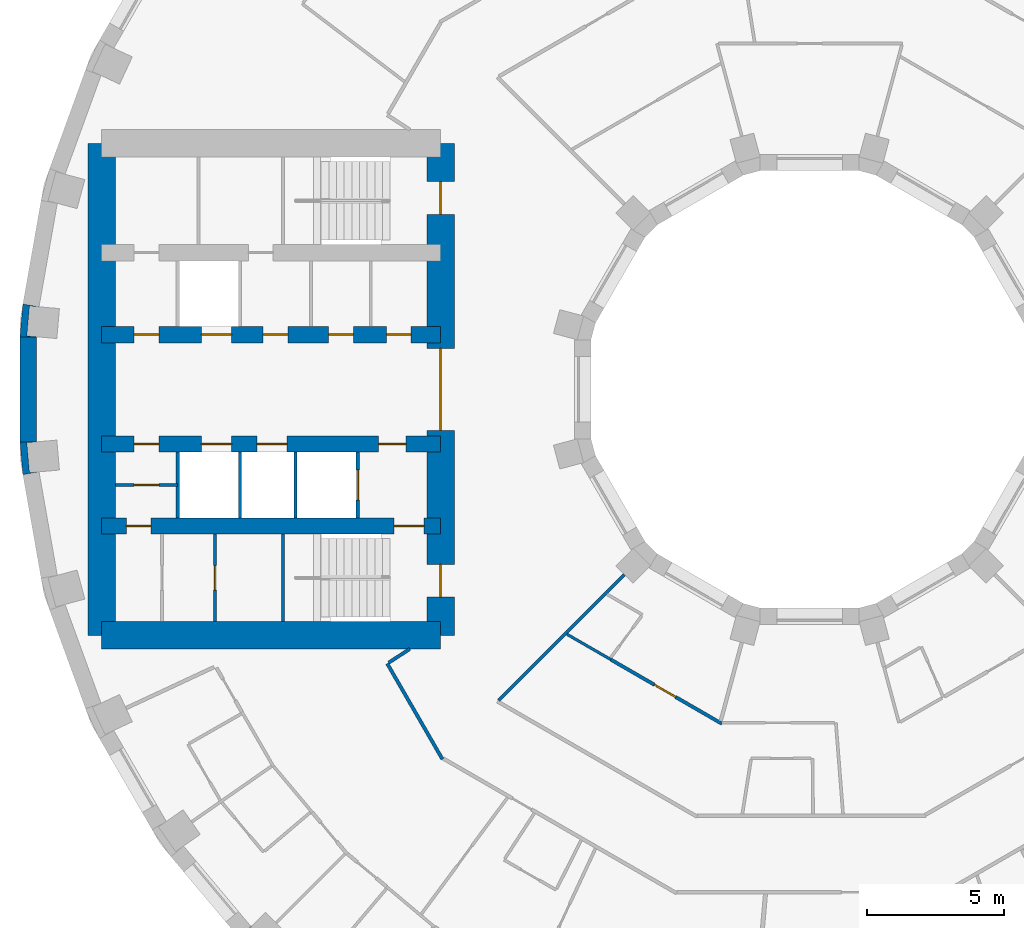
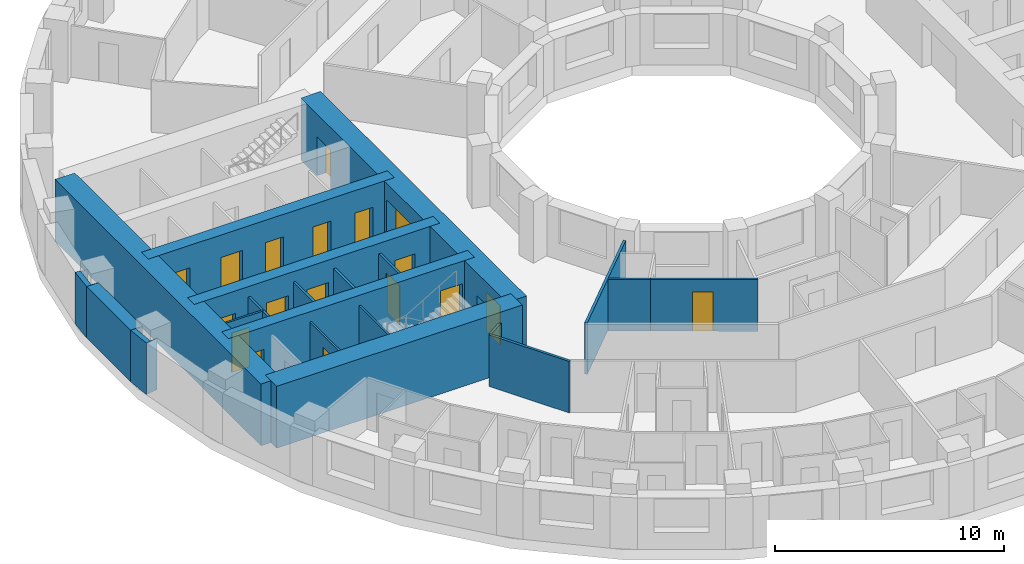
# One storey, part 6 of 15: 21 walls, 18 doors, 18 openings.
"""IFC4 building model written with IfcOpenShell, lengths in metres."""

import ifcopenshell
import ifcopenshell.guid

model = None  # the IFC model being written
_history = None  # IfcOwnerHistory: only IFC2X3 demands one
_inside = {}  # id of a spatial element -> (the spatial element, [elements in it])
_under = {}  # id of a project, library or spatial element -> (it, [spatial elements below it])
_declared = {}  # id of a project -> (the project, [libraries it declares])
_typed = {}  # id of a type object -> (the type object, [elements of that type])
_made_of = {}  # id of a material, layer set ... -> (it, [elements and type objects made of it])


def new_model(schema):
    """Start an empty IFC model of exactly this schema.

    Asked for "IFC4X3", IfcOpenShell would pick the latest addendum, in which some entities
    have other attributes; the version numbers below select the first issue.
    IFC2X3 requires an IfcOwnerHistory on every rooted entity: one is made here for all.
    """
    global model, _history
    if schema == "IFC4X3":
        model = ifcopenshell.file(schema_version=(4, 3, 0, 0))
    else:
        model = ifcopenshell.file(schema=schema)
    _inside.clear()
    _under.clear()
    _declared.clear()
    _typed.clear()
    _made_of.clear()
    _history = None
    if model.schema == "IFC2X3":
        org = make("IfcOrganization", Name="unknown")
        user = make(
            "IfcPersonAndOrganization",
            ThePerson=make("IfcPerson", FamilyName="unknown"),
            TheOrganization=org,
        )
        app = make(
            "IfcApplication",
            ApplicationDeveloper=org,
            Version="unknown",
            ApplicationFullName="unknown",
            ApplicationIdentifier="unknown",
        )
        _history = make(
            "IfcOwnerHistory",
            OwningUser=user,
            OwningApplication=app,
            ChangeAction="ADDED",
            CreationDate=0,
        )
    return model


def make(cls, **values):
    """One entity of the class cls with the attributes given. An attribute that is None is left unset."""
    return model.create_entity(
        cls, **{name: value for name, value in values.items() if value is not None}
    )


def rooted(cls, **values):
    """An entity with a GlobalId (a new one), such as an element, a storey or a relation."""
    return make(cls, GlobalId=ifcopenshell.guid.new(), OwnerHistory=_history, **values)


def si_unit(unit_type, name, prefix=None):
    """IfcSIUnit, for example si_unit("LENGTHUNIT", "METRE", prefix="MILLI")."""
    return make("IfcSIUnit", UnitType=unit_type, Prefix=prefix, Name=name)


def assignment(units):
    """IfcUnitAssignment: the units of a project."""
    return None if units is None else make("IfcUnitAssignment", Units=units)


def point(xyz):
    """IfcCartesianPoint."""
    return None if xyz is None else make("IfcCartesianPoint", Coordinates=xyz)


def direction(xyz):
    """IfcDirection."""
    return None if xyz is None else make("IfcDirection", DirectionRatios=xyz)


def frame(location, z_axis=None, x_axis=None):
    """IfcAxis2Placement3D, a coordinate frame: its origin and axes. An axis left out is left unset."""
    return make(
        "IfcAxis2Placement3D",
        Location=point(location),
        Axis=direction(z_axis),
        RefDirection=direction(x_axis),
    )


def frame_2d(location, x_axis=None):
    """IfcAxis2Placement2D, a coordinate frame in the plane: its origin and x axis."""
    return make(
        "IfcAxis2Placement2D", Location=point(location), RefDirection=direction(x_axis)
    )


def origin():
    """The frame at (0, 0, 0) with its axes left unset."""
    return frame((0.0, 0.0, 0.0))


def place(relative_to, where):
    """IfcLocalPlacement: puts the frame where relative to a parent placement (None: the world)."""
    return make(
        "IfcLocalPlacement", PlacementRelTo=relative_to, RelativePlacement=where
    )


def context(
    kind, dimensions, precision=None, world=None, true_north=None, identifier=None
):
    """IfcGeometricRepresentationContext, for example the 3D "Model" context."""
    return make(
        "IfcGeometricRepresentationContext",
        ContextIdentifier=identifier,
        ContextType=kind,
        CoordinateSpaceDimension=dimensions,
        Precision=precision,
        WorldCoordinateSystem=world,
        TrueNorth=true_north,
    )


def subcontext(parent, identifier, kind, view, scale=None):
    """IfcGeometricRepresentationSubContext, for example "Body" below "Model"."""
    return make(
        "IfcGeometricRepresentationSubContext",
        ContextIdentifier=identifier,
        ContextType=kind,
        ParentContext=parent,
        TargetScale=scale,
        TargetView=view,
    )


def project(units=None, contexts=None):
    """IfcProject with its units and contexts."""
    return rooted(
        "IfcProject",
        Name="project",
        RepresentationContexts=contexts,
        UnitsInContext=assignment(units),
    )


def spatial(cls, under=None, at=None, **own):
    """A site, building, storey or space (cls), placed at a placement, below another one or the project."""
    s = rooted(cls, ObjectPlacement=at, **own)
    if under is not None:
        _under.setdefault(under.id(), (under, []))[1].append(s)
    return s


def polyline(points):
    """IfcPolyline through the points."""
    return make("IfcPolyline", Points=[point(p) for p in points])


def profile(cls, at=None, kind="AREA", **sizes):
    """A parametric profile (cls). Its sizes go by their IFC names, for example OverallWidth=200.0."""
    return make(cls, ProfileType=kind, Position=at, **sizes)


def rectangle(**sizes):
    """IfcRectangleProfileDef."""
    return profile("IfcRectangleProfileDef", **sizes)


def outline(outer, holes=None, kind="AREA"):
    """IfcArbitraryClosedProfileDef: a profile drawn as a closed curve; with holes, ...WithVoids."""
    if holes is None:
        return make("IfcArbitraryClosedProfileDef", ProfileType=kind, OuterCurve=outer)
    return make(
        "IfcArbitraryProfileDefWithVoids",
        ProfileType=kind,
        OuterCurve=outer,
        InnerCurves=holes,
    )


def extrude(swept, where, along, depth):
    """IfcExtrudedAreaSolid: the profile swept, set in the frame where, extruded along a direction by depth."""
    return make(
        "IfcExtrudedAreaSolid",
        SweptArea=swept,
        Position=where,
        ExtrudedDirection=direction(along),
        Depth=depth,
    )


def shape(context_of_items, identifier, shape_type, items):
    """IfcShapeRepresentation: the items that make up one representation, for example the "Body"."""
    return make(
        "IfcShapeRepresentation",
        ContextOfItems=context_of_items,
        RepresentationIdentifier=identifier,
        RepresentationType=shape_type,
        Items=items,
    )


def material(Name=None, Category=None):
    """IfcMaterial."""
    return make("IfcMaterial", Name=Name, Category=Category)


def layer(
    of_material, thickness, ventilated=None, Name=None, Category=None, Priority=None
):
    """IfcMaterialLayer: one layer of a wall or slab, of a material (None: an air gap)."""
    return make(
        "IfcMaterialLayer",
        Material=of_material,
        LayerThickness=thickness,
        IsVentilated=ventilated,
        Name=Name,
        Category=Category,
        Priority=Priority,
    )


def layer_set(layers, Name=None):
    """IfcMaterialLayerSet."""
    return make("IfcMaterialLayerSet", MaterialLayers=layers, LayerSetName=Name)


def made_of(thing, what):
    """Note that an element or type object is made of a material, layer set ...; save() writes the relation."""
    if what is not None:
        _made_of.setdefault(what.id(), (what, []))[1].append(thing)
    return thing


def type_object(cls, material=None, **own):
    """A type object (cls), such as IfcWallType, which elements share."""
    return made_of(rooted(cls, **own), material)


def element(
    cls,
    number,
    at=None,
    inside=None,
    cuts=None,
    type_object=None,
    material=None,
    context=None,
    identifier="Body",
    shape_type=None,
    held_by="IfcProductDefinitionShape",
    body=None,
    shapes=None,
    **own,
):
    """One element of the class cls, such as IfcWall. Its Tag is "e" and its number.

    at: its placement. inside: the storey or other place that contains it. cuts: it is an
    opening in that element (IfcRelVoidsElement). A single representation is given by context,
    identifier, shape_type and body (its items); several are given by shapes. held_by: the class
    of the entity that holds the representations. save() writes the other relations.
    """
    e = rooted(cls, Tag="e%d" % number, ObjectPlacement=at, **own)
    if body is not None:
        shapes = [shape(context, identifier, shape_type, body)]
    if shapes is not None:
        e.Representation = make(held_by, Representations=shapes)
    if inside is not None:
        _inside.setdefault(inside.id(), (inside, []))[1].append(e)
    if cuts is not None:
        rooted(
            "IfcRelVoidsElement", RelatingBuildingElement=cuts, RelatedOpeningElement=e
        )
    if type_object is not None:
        _typed.setdefault(type_object.id(), (type_object, []))[1].append(e)
    return made_of(e, material)


def fill(opening, filler):
    """IfcRelFillsElement: the door or window that sits in an opening."""
    return rooted(
        "IfcRelFillsElement",
        RelatingOpeningElement=opening,
        RelatedBuildingElement=filler,
    )


def aggregate(whole, parts):
    """IfcRelAggregates: a whole, such as a stair, and the parts it consists of."""
    return rooted("IfcRelAggregates", RelatingObject=whole, RelatedObjects=parts)


def save(model, path):
    """Write the relations noted so far, then the file.

    IfcRelAggregates (storeys below a building ...), IfcRelContainedInSpatialStructure (elements
    in a storey), IfcRelDefinesByType, IfcRelAssociatesMaterial and IfcRelDeclares: one each for
    every whole, place, type object, material and project.
    """
    for whole, parts in _under.values():
        aggregate(whole, parts)
    for where, things in _inside.values():
        rooted(
            "IfcRelContainedInSpatialStructure",
            RelatedElements=things,
            RelatingStructure=where,
        )
    for kind, things in _typed.values():
        rooted("IfcRelDefinesByType", RelatedObjects=things, RelatingType=kind)
    for what, things in _made_of.values():
        rooted("IfcRelAssociatesMaterial", RelatedObjects=things, RelatingMaterial=what)
    for by, libraries in _declared.values():
        rooted("IfcRelDeclares", RelatingContext=by, RelatedDefinitions=libraries)
    model.write(path)


model = new_model("IFC4")

# Units and contexts
model_context = context("Model", 3, precision=1e-05, world=origin(), true_north=direction((0.0, 1.0)))
body_context = subcontext(model_context, "Body", "Model", "MODEL_VIEW")
ifc_project = project(units=[si_unit("LENGTHUNIT", "METRE"), si_unit("AREAUNIT", "SQUARE_METRE"), si_unit("VOLUMEUNIT", "CUBIC_METRE"), si_unit("PLANEANGLEUNIT", "RADIAN"), si_unit("MASSUNIT", "GRAM", prefix="KILO")], contexts=[model_context])

# Site, building, storey
site_placement = place(None, origin())
site = spatial("IfcSite", under=ifc_project, at=site_placement, CompositionType="ELEMENT")
building_placement = place(site_placement, origin())
building = spatial("IfcBuilding", under=site, at=building_placement, Name="Saqina Gate Tower", CompositionType="ELEMENT")
storey_placement = place(building_placement, frame((0.0, 0.0, 39.5)))
storey = spatial("IfcBuildingStorey", under=building, at=storey_placement, Name="L10", CompositionType="ELEMENT", Elevation=39.5)

# Walls
ifc_material_1 = material(Name="Brick masonry (red)", Category="masonry")
wall_type_1 = type_object("IfcWallType", Name="BRICK PIER COPING RED", PredefinedType="SOLIDWALL", material=ifc_material_1)
wall_1_placement = place(storey_placement, origin())
element("IfcWall", 1, at=wall_1_placement, inside=storey, type_object=wall_type_1, Name="Pier cap L10 column 18", PredefinedType="SOLIDWALL", context=body_context, shape_type="SweptSolid", body=[
    extrude(outline(polyline([(-28.78466796875, 3.122802734375), (-28.8896484375, 1.9228515625), (-28.28955078125, 1.9228515625), (-28.638671875, 1.95361328125), (-28.54296875, 3.04931640625), (-28.19384765625, 3.018798828125), (-28.78466796875, 3.122802734375)])), origin(), (0.0, 0.0, 1.0), 2.75),
])
wall_2_placement = place(storey_placement, origin())
element("IfcWall", 2, at=wall_2_placement, inside=storey, type_object=wall_type_1, Name="Pier cap L10 column 19", PredefinedType="SOLIDWALL", context=body_context, shape_type="SweptSolid", body=[
    extrude(outline(polyline([(-28.8896484375, -1.9228515625), (-28.78466796875, -3.122802734375), (-28.19384765625, -3.018798828125), (-28.54296875, -3.04931640625), (-28.638671875, -1.95361328125), (-28.28955078125, -1.9228515625), (-28.8896484375, -1.9228515625)])), origin(), (0.0, 0.0, 1.0), 2.75),
])

# Wall, opening, door
ifc_material_2 = material(Name="Gypsum board on steel studs", Category="steel")
ifc_layer_1 = layer(ifc_material_2, 0.10009765625)
ifc_layer_set_1 = layer_set([ifc_layer_1], Name="CORE PARTITION")
wall_type_2 = type_object("IfcWallType", Name="CORE PARTITION", PredefinedType="PARTITIONING", material=ifc_layer_set_1)
wall_3_placement = place(storey_placement, frame((-23.1201171875, -3.5, 0.0), z_axis=(0.0, 0.0, 1.0), x_axis=(-1.0, 0.0, 0.0)))
wall_3 = element("IfcWall", 3, at=wall_3_placement, inside=storey, type_object=wall_type_2, Name="L10-CP-W09", PredefinedType="PARTITIONING", context=body_context, shape_type="SweptSolid", body=[
    extrude(rectangle(XDim=2.27978515625, YDim=0.10009765625, at=frame_2d((1.139892578125, 0.0))), origin(), (0.0, 0.0, 1.0), 2.75),
])
opening_1_placement = place(wall_3_placement, frame((0.68994140625, 0.0, 0.0)))
opening_1 = element("IfcOpeningElement", 4, at=opening_1_placement, cuts=wall_3, Name="Opening G02-D114", PredefinedType="OPENING", context=body_context, shape_type="SweptSolid", body=[
    extrude(rectangle(XDim=0.89990234375, YDim=2.10009765625, at=frame_2d((0.449951171875, 1.050048828125))), frame((0.0, 0.06201171875, 0.0), z_axis=(0.0, -1.0, 0.0), x_axis=(1.0, 0.0, 0.0)), (0.0, 0.0, 1.0), 0.1240234375),
])
ifc_material_3 = material(Name="Steel-framed fire door leaf, EI 60", Category="steel")
door_type_1 = type_object("IfcDoorType", Name="SERVICE ROOM DOOR 900", OperationType="SINGLE_SWING_LEFT", PredefinedType="DOOR", material=ifc_material_3)
door_1_placement = place(opening_1_placement, origin())
door_1 = element("IfcDoor", 5, at=door_1_placement, inside=storey, type_object=door_type_1, Name="L10-CD-W25", OperationType="SINGLE_SWING_RIGHT", OverallHeight=2.10009765625, OverallWidth=0.89990234375, PredefinedType="DOOR", context=body_context, shape_type="SweptSolid", body=[
    extrude(rectangle(XDim=0.89990234375, YDim=2.10009765625, at=frame_2d((0.449951171875, 1.050048828125))), frame((0.0, 0.02490234375, 0.0), z_axis=(0.0, -1.0, 0.0), x_axis=(1.0, 0.0, 0.0)), (0.0, 0.0, 1.0), 0.050048828125),
])
fill(opening_1, door_1)

wall_4_placement = place(storey_placement, frame((-21.751953125, -8.5, 0.0), z_axis=(0.0, 0.0, 1.0), x_axis=(0.0, 1.0, 0.0)))
wall_4 = element("IfcWall", 6, at=wall_4_placement, inside=storey, type_object=wall_type_2, Name="L10-CP-W13", PredefinedType="PARTITIONING", context=body_context, shape_type="SweptSolid", body=[
    extrude(rectangle(XDim=3.199951171875, YDim=0.10009765625, at=frame_2d((1.60009765625, 0.0))), origin(), (0.0, 0.0, 1.0), 2.75),
])
opening_2_placement = place(wall_4_placement, frame((1.14990234375, 0.0, 0.0)))
opening_2 = element("IfcOpeningElement", 7, at=opening_2_placement, cuts=wall_4, Name="Opening G02-D116", PredefinedType="OPENING", context=body_context, shape_type="SweptSolid", body=[
    extrude(rectangle(XDim=0.89990234375, YDim=2.10009765625, at=frame_2d((0.449951171875, 1.050048828125))), frame((0.0, 0.06201171875, 0.0), z_axis=(0.0, -1.0, 0.0), x_axis=(1.0, 0.0, 0.0)), (0.0, 0.0, 1.0), 0.1240234375),
])
door_2_placement = place(opening_2_placement, frame((0.89990234375, 0.0, 0.0), z_axis=(0.0, 0.0, 1.0), x_axis=(-1.0, 0.0, 0.0)))
door_2 = element("IfcDoor", 8, at=door_2_placement, inside=storey, type_object=door_type_1, Name="L10-CD-W27", OperationType="SINGLE_SWING_RIGHT", OverallHeight=2.10009765625, OverallWidth=0.89990234375, PredefinedType="DOOR", context=body_context, shape_type="SweptSolid", body=[
    extrude(rectangle(XDim=0.89990234375, YDim=2.10009765625, at=frame_2d((0.449951171875, 1.050048828125))), frame((0.0, 0.02490234375, 0.0), z_axis=(0.0, -1.0, 0.0), x_axis=(1.0, 0.0, 0.0)), (0.0, 0.0, 1.0), 0.050048828125),
])
fill(opening_2, door_2)

# Walls
ifc_material_4 = material(Name="Glazed ceramic tile (white)", Category="ceramic")
ifc_layer_2 = layer(ifc_material_4, 0.60009765625)
ifc_layer_set_2 = layer_set([ifc_layer_2], Name="FW-TILE-WH")
wall_type_3 = type_object("IfcWallType", Name="FW-TILE-WH", PredefinedType="SOLIDWALL", material=ifc_layer_set_2)
wall_5_placement = place(storey_placement, frame((-28.589599609375, 1.9228515625, 0.0), z_axis=(0.0, 0.0, 1.0), x_axis=(0.0, -1.0, 0.0)))
element("IfcWall", 9, at=wall_5_placement, inside=storey, type_object=wall_type_3, Name="Facade wall L10 facet 18", PredefinedType="SOLIDWALL", context=body_context, shape_type="SweptSolid", body=[
    extrude(rectangle(XDim=3.845703125, YDim=0.60009765625, at=frame_2d((1.9228515625, 0.0))), origin(), (0.0, 0.0, 1.0), 2.75),
])
ifc_material_5 = material(Name="Gypsum board on steel studs, 100 mm", Category="steel")
ifc_layer_3 = layer(ifc_material_5, 0.10009765625)
ifc_layer_set_3 = layer_set([ifc_layer_3], Name="PARTITION 100")
wall_type_4 = type_object("IfcWallType", Name="PARTITION 100", PredefinedType="PARTITIONING", material=ifc_layer_set_3)
wall_6_placement = place(storey_placement, frame((-8.876953125, -8.962158203125, 0.0), z_axis=(0.0, 0.0, 1.0), x_axis=(0.866196532088, -0.499703479875, 0.0)))
element("IfcWall", 10, at=wall_6_placement, inside=storey, type_object=wall_type_4, Name="PARTITION PW3-43", PredefinedType="PARTITIONING", context=body_context, shape_type="SweptSolid", body=[
    extrude(rectangle(XDim=1.856689453125, YDim=0.10009765625, at=frame_2d((0.92822265625, 0.0))), origin(), (0.0, 0.0, 1.0), 2.75),
])
ifc_material_6 = material(Name="Gypsum board on steel studs, 125 mm, fire rated", Category="steel")
ifc_layer_4 = layer(ifc_material_6, 0.125)
ifc_layer_set_4 = layer_set([ifc_layer_4], Name="PARTITION EI 30 125")
wall_type_5 = type_object("IfcWallType", Name="PARTITION EI 30 125", PredefinedType="PARTITIONING", material=ifc_layer_set_4)
wall_7_placement = place(storey_placement, frame((-15.452880859375, -10.034912109375, 0.0), z_axis=(0.0, 0.0, 1.0), x_axis=(0.499949220301, -0.866054719472, 0.0)))
element("IfcWall", 11, at=wall_7_placement, inside=storey, type_object=wall_type_5, Name="PARTITION PW1-03", PredefinedType="PARTITIONING", context=body_context, shape_type="SweptSolid", body=[
    extrude(rectangle(XDim=4.03857421875, YDim=0.125, at=frame_2d((2.019287109375, 0.0))), origin(), (0.0, 0.0, 1.0), 2.75),
])

# Wall, opening, door
wall_8_placement = place(storey_placement, frame((-7.268798828125, -9.889892578125, 0.0), z_axis=(0.0, 0.0, 1.0), x_axis=(0.865954211699, -0.50012328804, 0.0)))
wall_8 = element("IfcWall", 12, at=wall_8_placement, inside=storey, type_object=wall_type_5, Name="PARTITION PW1-18", PredefinedType="PARTITIONING", context=body_context, shape_type="SweptSolid", body=[
    extrude(rectangle(XDim=4.692138671875, YDim=0.125, at=frame_2d((2.34619140625, 0.0))), origin(), (0.0, 0.0, 1.0), 2.75),
])
opening_3_placement = place(wall_8_placement, frame((1.83447265625, 0.0, 0.0)))
opening_3 = element("IfcOpeningElement", 13, at=opening_3_placement, cuts=wall_8, Name="Opening G02-D44", PredefinedType="OPENING", context=body_context, shape_type="SweptSolid", body=[
    extrude(rectangle(XDim=0.89990234375, YDim=2.10009765625, at=frame_2d((0.449951171875, 1.050048828125))), frame((0.0, 0.074462890625, 0.0), z_axis=(0.0, -1.0, 0.0), x_axis=(1.0, 0.0, 0.0)), (0.0, 0.0, 1.0), 0.14892578125),
])
ifc_material_7 = material(Name="Fire door leaf EI 30, 900 mm")
door_type_2 = type_object("IfcDoorType", Name="DOOR 900 EI 30", OperationType="SINGLE_SWING_LEFT", PredefinedType="DOOR", material=ifc_material_7)
door_3_placement = place(opening_3_placement, frame((0.89990234375, 0.0, 0.0), z_axis=(0.0, 0.0, 1.0), x_axis=(-1.0, 0.0, 0.0)))
door_3 = element("IfcDoor", 14, at=door_3_placement, inside=storey, type_object=door_type_2, Name="DOOR G02-D44", OperationType="SINGLE_SWING_RIGHT", OverallHeight=2.10009765625, OverallWidth=0.89990234375, PredefinedType="DOOR", context=body_context, shape_type="SweptSolid", body=[
    extrude(rectangle(XDim=0.89990234375, YDim=2.10009765625, at=frame_2d((0.449951171875, 1.050048828125))), frame((0.0, 0.02490234375, 0.0), z_axis=(0.0, -1.0, 0.0), x_axis=(1.0, 0.0, 0.0)), (0.0, 0.0, 1.0), 0.050048828125),
])
fill(opening_3, door_3)

# Walls
wall_9_placement = place(storey_placement, frame((-15.400634765625, -10.0009765625, 0.0), z_axis=(0.0, 0.0, 1.0), x_axis=(0.838764779401, 0.544493934619, 0.0)))
element("IfcWall", 15, at=wall_9_placement, inside=storey, type_object=wall_type_5, Name="PARTITION PW1-44", PredefinedType="PARTITIONING", context=body_context, shape_type="SweptSolid", body=[
    extrude(rectangle(XDim=0.920166015625, YDim=0.125, at=frame_2d((0.4599609375, 0.0))), origin(), (0.0, 0.0, 1.0), 2.75),
])
wall_10_placement = place(storey_placement, frame((-11.375732421875, -11.375732421875, 0.0), z_axis=(0.0, 0.0, 1.0), x_axis=(0.707106781187, 0.707106781187, 0.0)))
element("IfcWall", 16, at=wall_10_placement, inside=storey, type_object=wall_type_5, Name="PARTITION PW1-46", PredefinedType="PARTITIONING", context=body_context, shape_type="SweptSolid", body=[
    extrude(rectangle(XDim=6.49560546875, YDim=0.125, at=frame_2d((3.247802734375, 0.0))), origin(), (0.0, 0.0, 1.0), 2.75),
])

# Wall, opening, door
ifc_material_8 = material(Name="Autoclaved aerated concrete block", Category="concrete")
ifc_layer_5 = layer(ifc_material_8, 0.1201171875)
ifc_layer_set_5 = layer_set([ifc_layer_5], Name="SHAFT PARTITION")
wall_type_6 = type_object("IfcWallType", Name="SHAFT PARTITION", PredefinedType="PARTITIONING", material=ifc_layer_set_5)
wall_11_placement = place(storey_placement, frame((-16.530029296875, -4.699951171875, 0.0), z_axis=(0.0, 0.0, 1.0), x_axis=(0.0, 1.0, 0.0)))
wall_11 = element("IfcWall", 17, at=wall_11_placement, inside=storey, type_object=wall_type_6, Name="L10-CP-W05", PredefinedType="PARTITIONING", context=body_context, shape_type="SweptSolid", body=[
    extrude(rectangle(XDim=2.39990234375, YDim=0.1201171875, at=frame_2d((1.199951171875, 0.0))), origin(), (0.0, 0.0, 1.0), 2.75),
])
opening_4_placement = place(wall_11_placement, frame((0.64990234375, 0.0, 0.0)))
opening_4 = element("IfcOpeningElement", 18, at=opening_4_placement, cuts=wall_11, Name="Opening G02-LD6", PredefinedType="OPENING", context=body_context, shape_type="SweptSolid", body=[
    extrude(rectangle(XDim=1.10009765625, YDim=2.10009765625, at=frame_2d((0.550048828125, 1.050048828125))), frame((0.0, 0.072021484375, 0.0), z_axis=(0.0, -1.0, 0.0), x_axis=(1.0, 0.0, 0.0)), (0.0, 0.0, 1.0), 0.14404296875),
])
ifc_material_9 = material(Name="Stainless steel", Category="steel")
door_type_3 = type_object("IfcDoorType", Name="LANDING DOOR", OperationType="DOUBLE_DOOR_SLIDING", PredefinedType="DOOR", material=ifc_material_9)
door_4_placement = place(opening_4_placement, origin())
door_4 = element("IfcDoor", 19, at=door_4_placement, inside=storey, type_object=door_type_3, Name="LANDING DOOR FF2", OperationType="DOUBLE_DOOR_SLIDING", OverallHeight=2.10009765625, OverallWidth=1.10009765625, PredefinedType="DOOR", context=body_context, shape_type="SweptSolid", body=[
    extrude(rectangle(XDim=1.10009765625, YDim=2.10009765625, at=frame_2d((0.550048828125, 1.050048828125))), frame((0.0, 0.02490234375, 0.0), z_axis=(0.0, -1.0, 0.0), x_axis=(1.0, 0.0, 0.0)), (0.0, 0.0, 1.0), 0.050048828125),
])
fill(opening_4, door_4)

# Walls
for number, where, z_axis, x_axis, name in (
    (20, (-18.81005859375, -4.699951171875, 0.0), (0.0, 0.0, 1.0), (0.0, 1.0, 0.0), "L10-CP-W06"),
    (21, (-20.840087890625, -4.699951171875, 0.0), (0.0, 0.0, 1.0), (0.0, 1.0, 0.0), "L10-CP-W07"),
    (22, (-23.1201171875, -4.699951171875, 0.0), (0.0, 0.0, 1.0), (0.0, 1.0, 0.0), "L10-CP-W08"),
):
    element("IfcWall", number, at=place(storey_placement, frame(where, z_axis=z_axis, x_axis=x_axis)), inside=storey, type_object=wall_type_6, Name=name, PredefinedType="PARTITIONING", context=body_context, shape_type="SweptSolid", body=[
        extrude(rectangle(XDim=2.39990234375, YDim=0.1201171875, at=frame_2d((1.199951171875, 0.0))), origin(), (0.0, 0.0, 1.0), 2.75),
    ])
ifc_material_10 = material(Name="Autoclaved aerated concrete block", Category="concrete")
ifc_layer_6 = layer(ifc_material_10, 0.10009765625)
ifc_layer_set_6 = layer_set([ifc_layer_6], Name="STAIR ENCLOSURE WALL")
wall_type_7 = type_object("IfcWallType", Name="STAIR ENCLOSURE WALL", PredefinedType="PARTITIONING", material=ifc_layer_set_6)
wall_12_placement = place(storey_placement, frame((-19.27001953125, -8.5, 0.0), z_axis=(0.0, 0.0, 1.0), x_axis=(0.0, 1.0, 0.0)))
element("IfcWall", 23, at=wall_12_placement, inside=storey, type_object=wall_type_7, Name="L10-CP-W12", PredefinedType="PARTITIONING", context=body_context, shape_type="SweptSolid", body=[
    extrude(rectangle(XDim=3.199951171875, YDim=0.10009765625, at=frame_2d((1.60009765625, 0.0))), origin(), (0.0, 0.0, 1.0), 2.75),
])

# Wall, openings, doors
ifc_material_11 = material(Name="Concrete C70/85", Category="concrete")
ifc_layer_7 = layer(ifc_material_11, 0.60009765625)
ifc_layer_set_7 = layer_set([ifc_layer_7], Name="Concrete C70/85")
wall_type_8 = type_object("IfcWallType", Name="STR-CORE WALL-A-I", PredefinedType="SHEAR", material=ifc_layer_set_7)
wall_13_placement = place(storey_placement, frame((-13.5, -5.0, 0.0), z_axis=(0.0, 0.0, 1.0), x_axis=(-1.0, 0.0, 0.0)))
wall_13 = element("IfcWall", 24, at=wall_13_placement, inside=storey, type_object=wall_type_8, Name="CORE WALL L10 W-X2", PredefinedType="SHEAR", context=body_context, shape_type="SweptSolid", body=[
    extrude(rectangle(XDim=12.39990234375, YDim=0.60009765625, at=frame_2d((6.199951171875, 0.0))), origin(), (0.0, 0.0, 1.0), 3.300048828125),
])
opening_5_placement = place(wall_13_placement, frame((10.598876953125, 0.0, 0.0)))
opening_5 = element("IfcOpeningElement", 25, at=opening_5_placement, cuts=wall_13, Name="Opening G02-D117", PredefinedType="OPENING", context=body_context, shape_type="SweptSolid", body=[
    extrude(rectangle(XDim=0.89990234375, YDim=2.10009765625, at=frame_2d((0.449951171875, 1.050048828125))), frame((0.0, 0.31201171875, 0.0), z_axis=(0.0, -1.0, 0.0), x_axis=(1.0, 0.0, 0.0)), (0.0, 0.0, 1.0), 0.6240234375),
])
opening_6_placement = place(wall_13_placement, frame((0.60009765625, 0.0, 0.0)))
opening_6 = element("IfcOpeningElement", 26, at=opening_6_placement, cuts=wall_13, Name="Opening G02-D118", PredefinedType="OPENING", context=body_context, shape_type="SweptSolid", body=[
    extrude(rectangle(XDim=1.10009765625, YDim=2.10009765625, at=frame_2d((0.550048828125, 1.050048828125))), frame((0.0, 0.31201171875, 0.0), z_axis=(0.0, -1.0, 0.0), x_axis=(1.0, 0.0, 0.0)), (0.0, 0.0, 1.0), 0.6240234375),
])
ifc_material_12 = material(Name="Steel", Category="steel")
door_type_4 = type_object("IfcDoorType", Name="FIRE LOBBY DOOR EI 60 WIDE", OperationType="SINGLE_SWING_LEFT", PredefinedType="DOOR", material=ifc_material_12)
door_5_placement = place(opening_6_placement, origin())
door_5 = element("IfcDoor", 27, at=door_5_placement, inside=storey, type_object=door_type_4, Name="L10-CD-W29", OperationType="SINGLE_SWING_LEFT", OverallHeight=2.10009765625, OverallWidth=1.10009765625, PredefinedType="DOOR", context=body_context, shape_type="SweptSolid", body=[
    extrude(rectangle(XDim=1.10009765625, YDim=2.10009765625, at=frame_2d((0.550048828125, 1.050048828125))), frame((0.0, 0.02490234375, 0.0), z_axis=(0.0, -1.0, 0.0), x_axis=(1.0, 0.0, 0.0)), (0.0, 0.0, 1.0), 0.050048828125),
])
fill(opening_6, door_5)
door_6_placement = place(opening_5_placement, origin())
door_6 = element("IfcDoor", 28, at=door_6_placement, inside=storey, type_object=door_type_1, Name="L10-CD-W28", OperationType="SINGLE_SWING_RIGHT", OverallHeight=2.10009765625, OverallWidth=0.89990234375, PredefinedType="DOOR", context=body_context, shape_type="SweptSolid", body=[
    extrude(rectangle(XDim=0.89990234375, YDim=2.10009765625, at=frame_2d((0.449951171875, 1.050048828125))), frame((0.0, 0.02490234375, 0.0), z_axis=(0.0, -1.0, 0.0), x_axis=(1.0, 0.0, 0.0)), (0.0, 0.0, 1.0), 0.050048828125),
])
fill(opening_5, door_6)

wall_14_placement = place(storey_placement, frame((-13.5, 2.0, 0.0), z_axis=(0.0, 0.0, 1.0), x_axis=(-1.0, 0.0, 0.0)))
wall_14 = element("IfcWall", 29, at=wall_14_placement, inside=storey, type_object=wall_type_8, Name="CORE WALL L10 W-L1", PredefinedType="SHEAR", context=body_context, shape_type="SweptSolid", body=[
    extrude(rectangle(XDim=12.39990234375, YDim=0.60009765625, at=frame_2d((6.199951171875, 0.0))), origin(), (0.0, 0.0, 1.0), 3.300048828125),
])
opening_7_placement = place(wall_14_placement, frame((7.64990234375, 0.0, 0.0)))
opening_7 = element("IfcOpeningElement", 30, at=opening_7_placement, cuts=wall_14, Name="Opening G02-LD5", PredefinedType="OPENING", context=body_context, shape_type="SweptSolid", body=[
    extrude(rectangle(XDim=1.10009765625, YDim=2.10009765625, at=frame_2d((0.550048828125, 1.050048828125))), frame((0.0, 0.31201171875, 0.0), z_axis=(0.0, -1.0, 0.0), x_axis=(1.0, 0.0, 0.0)), (0.0, 0.0, 1.0), 0.6240234375),
])
opening_8_placement = place(wall_14_placement, frame((1.075927734375, 0.0, 0.0)))
opening_8 = element("IfcOpeningElement", 31, at=opening_8_placement, cuts=wall_14, Name="Opening G02-D106", PredefinedType="OPENING", context=body_context, shape_type="SweptSolid", body=[
    extrude(rectangle(XDim=0.89990234375, YDim=2.10009765625, at=frame_2d((0.449951171875, 1.050048828125))), frame((0.0, 0.31201171875, 0.0), z_axis=(0.0, -1.0, 0.0), x_axis=(1.0, 0.0, 0.0)), (0.0, 0.0, 1.0), 0.6240234375),
])
opening_9_placement = place(wall_14_placement, frame((3.1962890625, 0.0, 0.0)))
opening_9 = element("IfcOpeningElement", 32, at=opening_9_placement, cuts=wall_14, Name="Opening G02-D107", PredefinedType="OPENING", context=body_context, shape_type="SweptSolid", body=[
    extrude(rectangle(XDim=0.89990234375, YDim=2.10009765625, at=frame_2d((0.449951171875, 1.050048828125))), frame((0.0, 0.31201171875, 0.0), z_axis=(0.0, -1.0, 0.0), x_axis=(1.0, 0.0, 0.0)), (0.0, 0.0, 1.0), 0.6240234375),
])
opening_10_placement = place(wall_14_placement, frame((5.59033203125, 0.0, 0.0)))
opening_10 = element("IfcOpeningElement", 33, at=opening_10_placement, cuts=wall_14, Name="Opening G02-D108", PredefinedType="OPENING", context=body_context, shape_type="SweptSolid", body=[
    extrude(rectangle(XDim=0.89990234375, YDim=2.10009765625, at=frame_2d((0.449951171875, 1.050048828125))), frame((0.0, 0.31201171875, 0.0), z_axis=(0.0, -1.0, 0.0), x_axis=(1.0, 0.0, 0.0)), (0.0, 0.0, 1.0), 0.6240234375),
])
opening_11_placement = place(wall_14_placement, frame((10.31005859375, 0.0, 0.0)))
opening_11 = element("IfcOpeningElement", 34, at=opening_11_placement, cuts=wall_14, Name="Opening G02-D109", PredefinedType="OPENING", context=body_context, shape_type="SweptSolid", body=[
    extrude(rectangle(XDim=0.89990234375, YDim=2.10009765625, at=frame_2d((0.449951171875, 1.050048828125))), frame((0.0, 0.31201171875, 0.0), z_axis=(0.0, -1.0, 0.0), x_axis=(1.0, 0.0, 0.0)), (0.0, 0.0, 1.0), 0.6240234375),
])
door_7_placement = place(opening_7_placement, origin())
door_7 = element("IfcDoor", 35, at=door_7_placement, inside=storey, type_object=door_type_3, Name="LANDING DOOR LR4", OperationType="DOUBLE_DOOR_SLIDING", OverallHeight=2.10009765625, OverallWidth=1.10009765625, PredefinedType="DOOR", context=body_context, shape_type="SweptSolid", body=[
    extrude(rectangle(XDim=1.10009765625, YDim=2.10009765625, at=frame_2d((0.550048828125, 1.050048828125))), frame((0.0, 0.02490234375, 0.0), z_axis=(0.0, -1.0, 0.0), x_axis=(1.0, 0.0, 0.0)), (0.0, 0.0, 1.0), 0.050048828125),
])
fill(opening_7, door_7)
door_8_placement = place(opening_8_placement, frame((0.89990234375, 0.0, 0.0), z_axis=(0.0, 0.0, 1.0), x_axis=(-1.0, 0.0, 0.0)))
door_8 = element("IfcDoor", 36, at=door_8_placement, inside=storey, type_object=door_type_1, Name="L10-CD-W17", OperationType="SINGLE_SWING_LEFT", OverallHeight=2.10009765625, OverallWidth=0.89990234375, PredefinedType="DOOR", context=body_context, shape_type="SweptSolid", body=[
    extrude(rectangle(XDim=0.89990234375, YDim=2.10009765625, at=frame_2d((0.449951171875, 1.050048828125))), frame((0.0, 0.02490234375, 0.0), z_axis=(0.0, -1.0, 0.0), x_axis=(1.0, 0.0, 0.0)), (0.0, 0.0, 1.0), 0.050048828125),
])
fill(opening_8, door_8)
door_9_placement = place(opening_9_placement, frame((0.89990234375, 0.0, 0.0), z_axis=(0.0, 0.0, 1.0), x_axis=(-1.0, 0.0, 0.0)))
door_9 = element("IfcDoor", 37, at=door_9_placement, inside=storey, type_object=door_type_1, Name="L10-CD-W18", OperationType="SINGLE_SWING_RIGHT", OverallHeight=2.10009765625, OverallWidth=0.89990234375, PredefinedType="DOOR", context=body_context, shape_type="SweptSolid", body=[
    extrude(rectangle(XDim=0.89990234375, YDim=2.10009765625, at=frame_2d((0.449951171875, 1.050048828125))), frame((0.0, 0.02490234375, 0.0), z_axis=(0.0, -1.0, 0.0), x_axis=(1.0, 0.0, 0.0)), (0.0, 0.0, 1.0), 0.050048828125),
])
fill(opening_9, door_9)
door_10_placement = place(opening_10_placement, frame((0.89990234375, 0.0, 0.0), z_axis=(0.0, 0.0, 1.0), x_axis=(-1.0, 0.0, 0.0)))
door_10 = element("IfcDoor", 38, at=door_10_placement, inside=storey, type_object=door_type_1, Name="L10-CD-W19", OperationType="SINGLE_SWING_RIGHT", OverallHeight=2.10009765625, OverallWidth=0.89990234375, PredefinedType="DOOR", context=body_context, shape_type="SweptSolid", body=[
    extrude(rectangle(XDim=0.89990234375, YDim=2.10009765625, at=frame_2d((0.449951171875, 1.050048828125))), frame((0.0, 0.02490234375, 0.0), z_axis=(0.0, -1.0, 0.0), x_axis=(1.0, 0.0, 0.0)), (0.0, 0.0, 1.0), 0.050048828125),
])
fill(opening_10, door_10)
door_11_placement = place(opening_11_placement, frame((0.89990234375, 0.0, 0.0), z_axis=(0.0, 0.0, 1.0), x_axis=(-1.0, 0.0, 0.0)))
door_11 = element("IfcDoor", 39, at=door_11_placement, inside=storey, type_object=door_type_1, Name="L10-CD-W20", OperationType="SINGLE_SWING_LEFT", OverallHeight=2.10009765625, OverallWidth=0.89990234375, PredefinedType="DOOR", context=body_context, shape_type="SweptSolid", body=[
    extrude(rectangle(XDim=0.89990234375, YDim=2.10009765625, at=frame_2d((0.449951171875, 1.050048828125))), frame((0.0, 0.02490234375, 0.0), z_axis=(0.0, -1.0, 0.0), x_axis=(1.0, 0.0, 0.0)), (0.0, 0.0, 1.0), 0.050048828125),
])
fill(opening_11, door_11)

wall_15_placement = place(storey_placement, frame((-13.5, -2.0, 0.0), z_axis=(0.0, 0.0, 1.0), x_axis=(-1.0, 0.0, 0.0)))
wall_15 = element("IfcWall", 40, at=wall_15_placement, inside=storey, type_object=wall_type_8, Name="CORE WALL L10 W-L2", PredefinedType="SHEAR", context=body_context, shape_type="SweptSolid", body=[
    extrude(rectangle(XDim=12.39990234375, YDim=0.60009765625, at=frame_2d((6.199951171875, 0.0))), origin(), (0.0, 0.0, 1.0), 3.300048828125),
])
opening_12_placement = place(wall_15_placement, frame((5.6201171875, 0.0, 0.0)))
opening_12 = element("IfcOpeningElement", 41, at=opening_12_placement, cuts=wall_15, Name="Opening G02-LD7", PredefinedType="OPENING", context=body_context, shape_type="SweptSolid", body=[
    extrude(rectangle(XDim=1.10009765625, YDim=2.10009765625, at=frame_2d((0.550048828125, 1.050048828125))), frame((0.0, 0.31201171875, 0.0), z_axis=(0.0, -1.0, 0.0), x_axis=(1.0, 0.0, 0.0)), (0.0, 0.0, 1.0), 0.6240234375),
])
opening_13_placement = place(wall_15_placement, frame((7.64990234375, 0.0, 0.0)))
opening_13 = element("IfcOpeningElement", 42, at=opening_13_placement, cuts=wall_15, Name="Opening G02-LD8", PredefinedType="OPENING", context=body_context, shape_type="SweptSolid", body=[
    extrude(rectangle(XDim=1.10009765625, YDim=2.10009765625, at=frame_2d((0.550048828125, 1.050048828125))), frame((0.0, 0.31201171875, 0.0), z_axis=(0.0, -1.0, 0.0), x_axis=(1.0, 0.0, 0.0)), (0.0, 0.0, 1.0), 0.6240234375),
])
opening_14_placement = place(wall_15_placement, frame((1.264892578125, 0.0, 0.0)))
opening_14 = element("IfcOpeningElement", 43, at=opening_14_placement, cuts=wall_15, Name="Opening G02-D110", PredefinedType="OPENING", context=body_context, shape_type="SweptSolid", body=[
    extrude(rectangle(XDim=1.0, YDim=2.10009765625, at=frame_2d((0.5, 1.050048828125))), frame((0.0, 0.31201171875, 0.0), z_axis=(0.0, -1.0, 0.0), x_axis=(1.0, 0.0, 0.0)), (0.0, 0.0, 1.0), 0.6240234375),
])
opening_15_placement = place(wall_15_placement, frame((10.31005859375, 0.0, 0.0)))
opening_15 = element("IfcOpeningElement", 44, at=opening_15_placement, cuts=wall_15, Name="Opening G02-D111", PredefinedType="OPENING", context=body_context, shape_type="SweptSolid", body=[
    extrude(rectangle(XDim=0.89990234375, YDim=2.10009765625, at=frame_2d((0.449951171875, 1.050048828125))), frame((0.0, 0.31201171875, 0.0), z_axis=(0.0, -1.0, 0.0), x_axis=(1.0, 0.0, 0.0)), (0.0, 0.0, 1.0), 0.6240234375),
])
ifc_material_13 = material(Name="Steel", Category="steel")
door_type_5 = type_object("IfcDoorType", Name="FIRE LOBBY DOOR EI 60", OperationType="SINGLE_SWING_LEFT", PredefinedType="DOOR", material=ifc_material_13)
door_12_placement = place(opening_14_placement, frame((1.0, 0.0, 0.0), z_axis=(0.0, 0.0, 1.0), x_axis=(-1.0, 0.0, 0.0)))
door_12 = element("IfcDoor", 45, at=door_12_placement, inside=storey, type_object=door_type_5, Name="L10-CD-W21", OperationType="SINGLE_SWING_RIGHT", OverallHeight=2.10009765625, OverallWidth=1.0, PredefinedType="DOOR", context=body_context, shape_type="SweptSolid", body=[
    extrude(rectangle(XDim=1.0, YDim=2.10009765625, at=frame_2d((0.5, 1.050048828125))), frame((0.0, 0.02490234375, 0.0), z_axis=(0.0, -1.0, 0.0), x_axis=(1.0, 0.0, 0.0)), (0.0, 0.0, 1.0), 0.050048828125),
])
fill(opening_14, door_12)
door_13_placement = place(opening_12_placement, origin())
door_13 = element("IfcDoor", 46, at=door_13_placement, inside=storey, type_object=door_type_3, Name="LANDING DOOR LR6", OperationType="DOUBLE_DOOR_SLIDING", OverallHeight=2.10009765625, OverallWidth=1.10009765625, PredefinedType="DOOR", context=body_context, shape_type="SweptSolid", body=[
    extrude(rectangle(XDim=1.10009765625, YDim=2.10009765625, at=frame_2d((0.550048828125, 1.050048828125))), frame((0.0, 0.02490234375, 0.0), z_axis=(0.0, -1.0, 0.0), x_axis=(1.0, 0.0, 0.0)), (0.0, 0.0, 1.0), 0.050048828125),
])
fill(opening_12, door_13)
door_14_placement = place(opening_13_placement, origin())
door_14 = element("IfcDoor", 47, at=door_14_placement, inside=storey, type_object=door_type_3, Name="LANDING DOOR LR5", OperationType="DOUBLE_DOOR_SLIDING", OverallHeight=2.10009765625, OverallWidth=1.10009765625, PredefinedType="DOOR", context=body_context, shape_type="SweptSolid", body=[
    extrude(rectangle(XDim=1.10009765625, YDim=2.10009765625, at=frame_2d((0.550048828125, 1.050048828125))), frame((0.0, 0.02490234375, 0.0), z_axis=(0.0, -1.0, 0.0), x_axis=(1.0, 0.0, 0.0)), (0.0, 0.0, 1.0), 0.050048828125),
])
fill(opening_13, door_14)
door_15_placement = place(opening_15_placement, origin())
door_15 = element("IfcDoor", 48, at=door_15_placement, inside=storey, type_object=door_type_1, Name="L10-CD-W22", OperationType="SINGLE_SWING_RIGHT", OverallHeight=2.10009765625, OverallWidth=0.89990234375, PredefinedType="DOOR", context=body_context, shape_type="SweptSolid", body=[
    extrude(rectangle(XDim=0.89990234375, YDim=2.10009765625, at=frame_2d((0.449951171875, 1.050048828125))), frame((0.0, 0.02490234375, 0.0), z_axis=(0.0, -1.0, 0.0), x_axis=(1.0, 0.0, 0.0)), (0.0, 0.0, 1.0), 0.050048828125),
])
fill(opening_15, door_15)

ifc_material_14 = material(Name="Concrete C70/85", Category="concrete")
ifc_layer_8 = layer(ifc_material_14, 1.0)
ifc_layer_set_8 = layer_set([ifc_layer_8], Name="Concrete C70/85")
wall_type_9 = type_object("IfcWallType", Name="STR-CORE WALL-A-O", PredefinedType="SHEAR", material=ifc_layer_set_8)
wall_16_placement = place(storey_placement, frame((-13.5, -9.0, 0.0), z_axis=(0.0, 0.0, 1.0), x_axis=(0.0, 1.0, 0.0)))
wall_16 = element("IfcWall", 49, at=wall_16_placement, inside=storey, type_object=wall_type_9, Name="CORE WALL L10 W-W1", PredefinedType="SHEAR", context=body_context, shape_type="SweptSolid", body=[
    extrude(rectangle(XDim=18.0, YDim=1.0, at=frame_2d((9.0, 0.0))), origin(), (0.0, 0.0, 1.0), 3.300048828125),
])
opening_16_placement = place(wall_16_placement, frame((15.39990234375, 0.0, 0.0)))
opening_16 = element("IfcOpeningElement", 50, at=opening_16_placement, cuts=wall_16, Name="Opening G02-D119", PredefinedType="OPENING", context=body_context, shape_type="SweptSolid", body=[
    extrude(rectangle(XDim=1.199951171875, YDim=2.10009765625, at=frame_2d((0.60009765625, 1.050048828125))), frame((0.0, 0.511962890625, 0.0), z_axis=(0.0, -1.0, 0.0), x_axis=(1.0, 0.0, 0.0)), (0.0, 0.0, 1.0), 1.02392578125),
])
opening_17_placement = place(wall_16_placement, frame((1.39990234375, 0.0, 0.0)))
opening_17 = element("IfcOpeningElement", 51, at=opening_17_placement, cuts=wall_16, Name="Opening G02-D120", PredefinedType="OPENING", context=body_context, shape_type="SweptSolid", body=[
    extrude(rectangle(XDim=1.199951171875, YDim=2.10009765625, at=frame_2d((0.60009765625, 1.050048828125))), frame((0.0, 0.511962890625, 0.0), z_axis=(0.0, -1.0, 0.0), x_axis=(1.0, 0.0, 0.0)), (0.0, 0.0, 1.0), 1.02392578125),
])
opening_18_placement = place(wall_16_placement, frame((7.5, 0.0, 0.0)))
opening_18 = element("IfcOpeningElement", 52, at=opening_18_placement, cuts=wall_16, Name="Opening G02-D121", PredefinedType="OPENING", context=body_context, shape_type="SweptSolid", body=[
    extrude(rectangle(XDim=3.0, YDim=2.39990234375, at=frame_2d((1.5, 1.199951171875))), frame((0.0, 0.511962890625, 0.0), z_axis=(0.0, -1.0, 0.0), x_axis=(1.0, 0.0, 0.0)), (0.0, 0.0, 1.0), 1.02392578125),
])
ifc_material_15 = material(Name="Steel", Category="steel")
door_type_6 = type_object("IfcDoorType", Name="FIRE DOOR EI 60", OperationType="SINGLE_SWING_LEFT", PredefinedType="DOOR", material=ifc_material_15)
door_16_placement = place(opening_16_placement, origin())
door_16 = element("IfcDoor", 53, at=door_16_placement, inside=storey, type_object=door_type_6, Name="L10-CD-W30", OperationType="SINGLE_SWING_RIGHT", OverallHeight=2.10009765625, OverallWidth=1.199951171875, PredefinedType="DOOR", context=body_context, shape_type="SweptSolid", body=[
    extrude(rectangle(XDim=1.199951171875, YDim=2.10009765625, at=frame_2d((0.60009765625, 1.050048828125))), frame((0.0, 0.02490234375, 0.0), z_axis=(0.0, -1.0, 0.0), x_axis=(1.0, 0.0, 0.0)), (0.0, 0.0, 1.0), 0.050048828125),
])
fill(opening_16, door_16)
door_17_placement = place(opening_17_placement, origin())
door_17 = element("IfcDoor", 54, at=door_17_placement, inside=storey, type_object=door_type_6, Name="L10-CD-W31", OperationType="SINGLE_SWING_LEFT", OverallHeight=2.10009765625, OverallWidth=1.199951171875, PredefinedType="DOOR", context=body_context, shape_type="SweptSolid", body=[
    extrude(rectangle(XDim=1.199951171875, YDim=2.10009765625, at=frame_2d((0.60009765625, 1.050048828125))), frame((0.0, 0.02490234375, 0.0), z_axis=(0.0, -1.0, 0.0), x_axis=(1.0, 0.0, 0.0)), (0.0, 0.0, 1.0), 0.050048828125),
])
fill(opening_17, door_17)
ifc_material_16 = material(Name="Steel and fire-resisting glass", Category="steel")
door_type_7 = type_object("IfcDoorType", Name="LOBBY SCREEN DOOR", OperationType="DOUBLE_DOOR_SLIDING", PredefinedType="DOOR", material=ifc_material_16)
door_18_placement = place(opening_18_placement, origin())
door_18 = element("IfcDoor", 55, at=door_18_placement, inside=storey, type_object=door_type_7, Name="L10-CD-W32", OperationType="DOUBLE_DOOR_SLIDING", OverallHeight=2.39990234375, OverallWidth=3.0, PredefinedType="DOOR", context=body_context, shape_type="SweptSolid", body=[
    extrude(rectangle(XDim=3.0, YDim=2.39990234375, at=frame_2d((1.5, 1.199951171875))), frame((0.0, 0.02490234375, 0.0), z_axis=(0.0, -1.0, 0.0), x_axis=(1.0, 0.0, 0.0)), (0.0, 0.0, 1.0), 0.050048828125),
])
fill(opening_18, door_18)

# Walls
wall_17_placement = place(storey_placement, frame((-25.89990234375, -9.0, 0.0), z_axis=(0.0, 0.0, 1.0), x_axis=(0.0, 1.0, 0.0)))
element("IfcWall", 56, at=wall_17_placement, inside=storey, type_object=wall_type_9, Name="CORE WALL L10 W-W2", PredefinedType="SHEAR", context=body_context, shape_type="SweptSolid", body=[
    extrude(rectangle(XDim=18.0, YDim=1.0, at=frame_2d((9.0, 0.0))), origin(), (0.0, 0.0, 1.0), 3.300048828125),
])
wall_18_placement = place(storey_placement, frame((-13.5, -9.0, 0.0), z_axis=(0.0, 0.0, 1.0), x_axis=(-1.0, 0.0, 0.0)))
element("IfcWall", 57, at=wall_18_placement, inside=storey, type_object=wall_type_9, Name="CORE WALL L10 W-SE", PredefinedType="SHEAR", context=body_context, shape_type="SweptSolid", body=[
    extrude(rectangle(XDim=12.39990234375, YDim=1.0, at=frame_2d((6.199951171875, 0.0))), origin(), (0.0, 0.0, 1.0), 3.300048828125),
])

save(model, "model.ifc")
